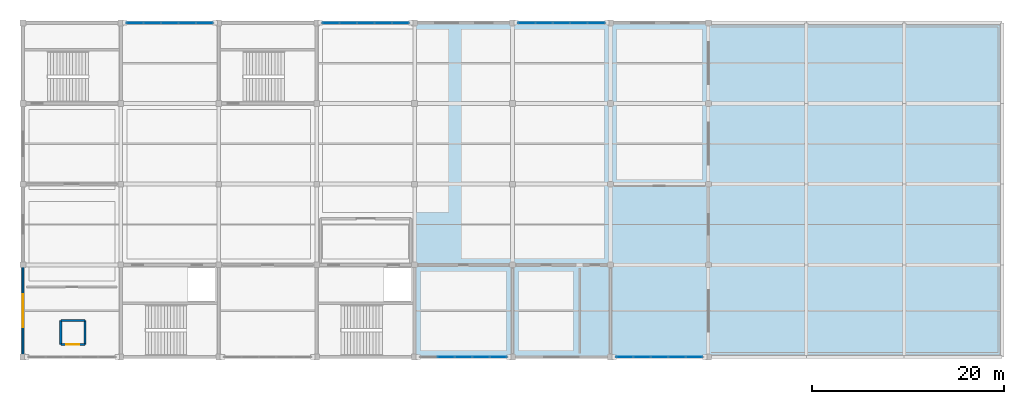
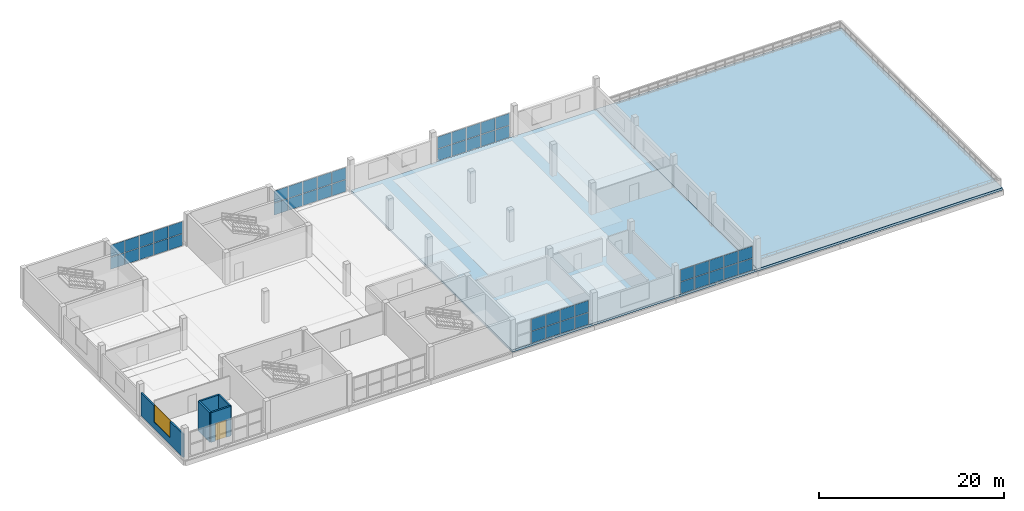
# One storey, part 18 of 24: 48 plates, 5 walls, 2 slabs, 1 door, 1 window, 2 openings, 5 elements without a shape of their own.
"""IFC4 building model written with IfcOpenShell, lengths in metres."""

from ifc_helpers import new_model, si_unit, direction, frame, frame_2d, origin, origin_2d, place, context, subcontext, project, spatial, polyline, rectangle, outline, extrude, material, layer, layer_set, type_object, element, fill, aggregate, save


model = new_model("IFC4")

# Units and contexts
model_context = context("Model", 3, precision=1e-05, world=origin(), true_north=direction((0.0, 1.0)))
body_context = subcontext(model_context, "Body", "Model", "MODEL_VIEW")
ifc_project = project(units=[si_unit("LENGTHUNIT", "METRE"), si_unit("AREAUNIT", "SQUARE_METRE"), si_unit("VOLUMEUNIT", "CUBIC_METRE"), si_unit("PLANEANGLEUNIT", "RADIAN"), si_unit("MASSUNIT", "GRAM", prefix="KILO")], contexts=[model_context])

# Site, building, storey
site_placement = place(None, origin())
site = spatial("IfcSite", under=ifc_project, at=site_placement, CompositionType="ELEMENT")
building_placement = place(site_placement, origin())
building = spatial("IfcBuilding", under=site, at=building_placement, Name="Brelvane Convention Centre", CompositionType="ELEMENT")
storey_placement = place(building_placement, frame((0.0, 0.0, 19.199951171875)))
storey = spatial("IfcBuildingStorey", under=building, at=storey_placement, Name="L04", CompositionType="ELEMENT", Elevation=19.199951171875)

# Curtain wall, plates
ifc_material_1 = material(Name="Anodised Aluminium Alloy 6063-T6", Category="aluminium")
curtain_wall_type_1 = type_object("IfcCurtainWallType", Name="Curtain Wall CW-COURT", PredefinedType="USERDEFINED", material=ifc_material_1)
curtain_wall_1_placement = place(storey_placement, origin())
curtain_wall_1 = element("IfcCurtainWall", 1, at=curtain_wall_1_placement, inside=storey, type_object=curtain_wall_type_1, Name="Curtain Wall CW-COURT L04-V4S-05", ObjectType="UNITISED", PredefinedType="USERDEFINED")
ifc_material_2 = material(Name="Double Glazed Low-E Laminated Unit")
ifc_layer_1 = layer(ifc_material_2, 0.031982421875)
ifc_layer_set_1 = layer_set([ifc_layer_1], Name="Double Glazed Low-E Laminated Unit")
plate_type_1 = type_object("IfcPlateType", Name="Curtain Panel CW-PG1", PredefinedType="CURTAIN_PANEL", material=ifc_layer_set_1)
plate_1_placement = place(storey_placement, frame((44.080078125, 109.199951171875, 0.070068359375), z_axis=(0.0, 0.0, 1.0), x_axis=(1.0, 0.0, 0.0)))
plate_1 = element("IfcPlate", 2, at=plate_1_placement, type_object=plate_type_1, Name="CW-COURT panel 2.1", PredefinedType="CURTAIN_PANEL", context=body_context, shape_type="SweptSolid", body=[
    extrude(rectangle(XDim=1.7451171875, YDim=0.031982421875, at=origin_2d()), origin(), (0.0, 0.0, 1.0), 1.544921875),
])
plate_2_placement = place(storey_placement, frame((44.080078125, 109.199951171875, 1.68505859375), z_axis=(0.0, 0.0, 1.0), x_axis=(1.0, 0.0, 0.0)))
plate_2 = element("IfcPlate", 3, at=plate_2_placement, type_object=plate_type_1, Name="CW-COURT panel 2.2", PredefinedType="CURTAIN_PANEL", context=body_context, shape_type="SweptSolid", body=[
    extrude(rectangle(XDim=1.7451171875, YDim=0.031982421875, at=origin_2d()), origin(), (0.0, 0.0, 1.0), 1.544921875),
])
plate_3_placement = place(storey_placement, frame((45.89990234375, 109.199951171875, 0.070068359375), z_axis=(0.0, 0.0, 1.0), x_axis=(1.0, 0.0, 0.0)))
plate_3 = element("IfcPlate", 4, at=plate_3_placement, type_object=plate_type_1, Name="CW-COURT panel 3.1", PredefinedType="CURTAIN_PANEL", context=body_context, shape_type="SweptSolid", body=[
    extrude(rectangle(XDim=1.7451171875, YDim=0.031982421875, at=origin_2d()), origin(), (0.0, 0.0, 1.0), 1.544921875),
])
plate_4_placement = place(storey_placement, frame((45.89990234375, 109.199951171875, 1.68505859375), z_axis=(0.0, 0.0, 1.0), x_axis=(1.0, 0.0, 0.0)))
plate_4 = element("IfcPlate", 5, at=plate_4_placement, type_object=plate_type_1, Name="CW-COURT panel 3.2", PredefinedType="CURTAIN_PANEL", context=body_context, shape_type="SweptSolid", body=[
    extrude(rectangle(XDim=1.7451171875, YDim=0.031982421875, at=origin_2d()), origin(), (0.0, 0.0, 1.0), 1.544921875),
])
plate_5_placement = place(storey_placement, frame((47.719970703125, 109.199951171875, 0.070068359375), z_axis=(0.0, 0.0, 1.0), x_axis=(1.0, 0.0, 0.0)))
plate_5 = element("IfcPlate", 6, at=plate_5_placement, type_object=plate_type_1, Name="CW-COURT panel 4.1", PredefinedType="CURTAIN_PANEL", context=body_context, shape_type="SweptSolid", body=[
    extrude(rectangle(XDim=1.7451171875, YDim=0.031982421875, at=origin_2d()), origin(), (0.0, 0.0, 1.0), 1.544921875),
])
plate_6_placement = place(storey_placement, frame((47.719970703125, 109.199951171875, 1.68505859375), z_axis=(0.0, 0.0, 1.0), x_axis=(1.0, 0.0, 0.0)))
plate_6 = element("IfcPlate", 7, at=plate_6_placement, type_object=plate_type_1, Name="CW-COURT panel 4.2", PredefinedType="CURTAIN_PANEL", context=body_context, shape_type="SweptSolid", body=[
    extrude(rectangle(XDim=1.7451171875, YDim=0.031982421875, at=origin_2d()), origin(), (0.0, 0.0, 1.0), 1.544921875),
])
plate_7_placement = place(storey_placement, frame((49.521240234375, 109.199951171875, 0.070068359375), z_axis=(0.0, 0.0, 1.0), x_axis=(1.0, 0.0, 0.0)))
plate_7 = element("IfcPlate", 8, at=plate_7_placement, type_object=plate_type_1, Name="CW-COURT panel 5.1", PredefinedType="CURTAIN_PANEL", context=body_context, shape_type="SweptSolid", body=[
    extrude(rectangle(XDim=1.70751953125, YDim=0.031982421875, at=origin_2d()), origin(), (0.0, 0.0, 1.0), 1.544921875),
])
plate_8_placement = place(storey_placement, frame((49.521240234375, 109.199951171875, 1.68505859375), z_axis=(0.0, 0.0, 1.0), x_axis=(1.0, 0.0, 0.0)))
plate_8 = element("IfcPlate", 9, at=plate_8_placement, type_object=plate_type_1, Name="CW-COURT panel 5.2", PredefinedType="CURTAIN_PANEL", context=body_context, shape_type="SweptSolid", body=[
    extrude(rectangle(XDim=1.70751953125, YDim=0.031982421875, at=origin_2d()), origin(), (0.0, 0.0, 1.0), 1.544921875),
])
aggregate(curtain_wall_1, [plate_1, plate_2, plate_3, plate_4, plate_5, plate_6, plate_7, plate_8])

curtain_wall_2_placement = place(storey_placement, origin())
curtain_wall_2 = element("IfcCurtainWall", 10, at=curtain_wall_2_placement, inside=storey, type_object=curtain_wall_type_1, Name="Curtain Wall CW-COURT L04-V4S-07", ObjectType="UNITISED", PredefinedType="USERDEFINED")
plate_9_placement = place(storey_placement, frame((62.6787109375, 109.199951171875, 0.070068359375), z_axis=(0.0, 0.0, 1.0), x_axis=(1.0, 0.0, 0.0)))
plate_9 = element("IfcPlate", 11, at=plate_9_placement, type_object=plate_type_1, Name="CW-COURT panel 1.1", PredefinedType="CURTAIN_PANEL", context=body_context, shape_type="SweptSolid", body=[
    extrude(rectangle(XDim=1.70751953125, YDim=0.031982421875, at=origin_2d()), origin(), (0.0, 0.0, 1.0), 1.544921875),
])
plate_10_placement = place(storey_placement, frame((62.6787109375, 109.199951171875, 1.68505859375), z_axis=(0.0, 0.0, 1.0), x_axis=(1.0, 0.0, 0.0)))
plate_10 = element("IfcPlate", 12, at=plate_10_placement, type_object=plate_type_1, Name="CW-COURT panel 1.2", PredefinedType="CURTAIN_PANEL", context=body_context, shape_type="SweptSolid", body=[
    extrude(rectangle(XDim=1.70751953125, YDim=0.031982421875, at=origin_2d()), origin(), (0.0, 0.0, 1.0), 1.544921875),
])
plate_11_placement = place(storey_placement, frame((64.47998046875, 109.199951171875, 0.070068359375), z_axis=(0.0, 0.0, 1.0), x_axis=(1.0, 0.0, 0.0)))
plate_11 = element("IfcPlate", 13, at=plate_11_placement, type_object=plate_type_1, Name="CW-COURT panel 2.1", PredefinedType="CURTAIN_PANEL", context=body_context, shape_type="SweptSolid", body=[
    extrude(rectangle(XDim=1.7451171875, YDim=0.031982421875, at=origin_2d()), origin(), (0.0, 0.0, 1.0), 1.544921875),
])
plate_12_placement = place(storey_placement, frame((64.47998046875, 109.199951171875, 1.68505859375), z_axis=(0.0, 0.0, 1.0), x_axis=(1.0, 0.0, 0.0)))
plate_12 = element("IfcPlate", 14, at=plate_12_placement, type_object=plate_type_1, Name="CW-COURT panel 2.2", PredefinedType="CURTAIN_PANEL", context=body_context, shape_type="SweptSolid", body=[
    extrude(rectangle(XDim=1.7451171875, YDim=0.031982421875, at=origin_2d()), origin(), (0.0, 0.0, 1.0), 1.544921875),
])
plate_13_placement = place(storey_placement, frame((66.300048828125, 109.199951171875, 0.070068359375), z_axis=(0.0, 0.0, 1.0), x_axis=(1.0, 0.0, 0.0)))
plate_13 = element("IfcPlate", 15, at=plate_13_placement, type_object=plate_type_1, Name="CW-COURT panel 3.1", PredefinedType="CURTAIN_PANEL", context=body_context, shape_type="SweptSolid", body=[
    extrude(rectangle(XDim=1.7451171875, YDim=0.031982421875, at=origin_2d()), origin(), (0.0, 0.0, 1.0), 1.544921875),
])
plate_14_placement = place(storey_placement, frame((66.300048828125, 109.199951171875, 1.68505859375), z_axis=(0.0, 0.0, 1.0), x_axis=(1.0, 0.0, 0.0)))
plate_14 = element("IfcPlate", 16, at=plate_14_placement, type_object=plate_type_1, Name="CW-COURT panel 3.2", PredefinedType="CURTAIN_PANEL", context=body_context, shape_type="SweptSolid", body=[
    extrude(rectangle(XDim=1.7451171875, YDim=0.031982421875, at=origin_2d()), origin(), (0.0, 0.0, 1.0), 1.544921875),
])
plate_15_placement = place(storey_placement, frame((68.1201171875, 109.199951171875, 0.070068359375), z_axis=(0.0, 0.0, 1.0), x_axis=(1.0, 0.0, 0.0)))
plate_15 = element("IfcPlate", 17, at=plate_15_placement, type_object=plate_type_1, Name="CW-COURT panel 4.1", PredefinedType="CURTAIN_PANEL", context=body_context, shape_type="SweptSolid", body=[
    extrude(rectangle(XDim=1.7451171875, YDim=0.031982421875, at=origin_2d()), origin(), (0.0, 0.0, 1.0), 1.544921875),
])
plate_16_placement = place(storey_placement, frame((68.1201171875, 109.199951171875, 1.68505859375), z_axis=(0.0, 0.0, 1.0), x_axis=(1.0, 0.0, 0.0)))
plate_16 = element("IfcPlate", 18, at=plate_16_placement, type_object=plate_type_1, Name="CW-COURT panel 4.2", PredefinedType="CURTAIN_PANEL", context=body_context, shape_type="SweptSolid", body=[
    extrude(rectangle(XDim=1.7451171875, YDim=0.031982421875, at=origin_2d()), origin(), (0.0, 0.0, 1.0), 1.544921875),
])
plate_17_placement = place(storey_placement, frame((69.921142578125, 109.199951171875, 0.070068359375), z_axis=(0.0, 0.0, 1.0), x_axis=(1.0, 0.0, 0.0)))
plate_17 = element("IfcPlate", 19, at=plate_17_placement, type_object=plate_type_1, Name="CW-COURT panel 5.1", PredefinedType="CURTAIN_PANEL", context=body_context, shape_type="SweptSolid", body=[
    extrude(rectangle(XDim=1.70751953125, YDim=0.031982421875, at=origin_2d()), origin(), (0.0, 0.0, 1.0), 1.544921875),
])
plate_18_placement = place(storey_placement, frame((69.921142578125, 109.199951171875, 1.68505859375), z_axis=(0.0, 0.0, 1.0), x_axis=(1.0, 0.0, 0.0)))
plate_18 = element("IfcPlate", 20, at=plate_18_placement, type_object=plate_type_1, Name="CW-COURT panel 5.2", PredefinedType="CURTAIN_PANEL", context=body_context, shape_type="SweptSolid", body=[
    extrude(rectangle(XDim=1.70751953125, YDim=0.031982421875, at=origin_2d()), origin(), (0.0, 0.0, 1.0), 1.544921875),
])
aggregate(curtain_wall_2, [plate_9, plate_10, plate_11, plate_12, plate_13, plate_14, plate_15, plate_16, plate_17, plate_18])

ifc_material_3 = material(Name="Anodised Aluminium Alloy 6063-T6", Category="aluminium")
curtain_wall_type_2 = type_object("IfcCurtainWallType", Name="Curtain Wall CW-BOUL", PredefinedType="USERDEFINED", material=ifc_material_3)
curtain_wall_3_placement = place(storey_placement, origin())
curtain_wall_3 = element("IfcCurtainWall", 21, at=curtain_wall_3_placement, inside=storey, type_object=curtain_wall_type_2, Name="Curtain Wall CW-BOUL L04-V4N-02", ObjectType="UNITISED", PredefinedType="USERDEFINED")
ifc_material_4 = material(Name="Double Glazed Low-E Laminated Unit")
ifc_layer_2 = layer(ifc_material_4, 0.0380859375)
ifc_layer_set_2 = layer_set([ifc_layer_2], Name="Double Glazed Low-E Laminated Unit")
plate_type_2 = type_object("IfcPlateType", Name="Curtain Panel CW-PG2", PredefinedType="CURTAIN_PANEL", material=ifc_layer_set_2)
plate_19_placement = place(storey_placement, frame((11.67626953125, 144.0, 0.06005859375), z_axis=(0.0, 0.0, 1.0), x_axis=(1.0, 0.0, 0.0)))
plate_19 = element("IfcPlate", 22, at=plate_19_placement, type_object=plate_type_2, Name="CW-BOUL panel 1.1", PredefinedType="CURTAIN_PANEL", context=body_context, shape_type="SweptSolid", body=[
    extrude(rectangle(XDim=1.722412109375, YDim=0.0380859375, at=origin_2d()), origin(), (0.0, 0.0, 1.0), 1.56005859375),
])
plate_20_placement = place(storey_placement, frame((11.67626953125, 144.0, 1.679931640625), z_axis=(0.0, 0.0, 1.0), x_axis=(1.0, 0.0, 0.0)))
plate_20 = element("IfcPlate", 23, at=plate_20_placement, type_object=plate_type_2, Name="CW-BOUL panel 1.2", PredefinedType="CURTAIN_PANEL", context=body_context, shape_type="SweptSolid", body=[
    extrude(rectangle(XDim=1.722412109375, YDim=0.0380859375, at=origin_2d()), origin(), (0.0, 0.0, 1.0), 1.56005859375),
])
plate_21_placement = place(storey_placement, frame((13.47998046875, 144.0, 0.06005859375), z_axis=(0.0, 0.0, 1.0), x_axis=(1.0, 0.0, 0.0)))
plate_21 = element("IfcPlate", 24, at=plate_21_placement, type_object=plate_type_2, Name="CW-BOUL panel 2.1", PredefinedType="CURTAIN_PANEL", context=body_context, shape_type="SweptSolid", body=[
    extrude(rectangle(XDim=1.7548828125, YDim=0.0380859375, at=origin_2d()), origin(), (0.0, 0.0, 1.0), 1.56005859375),
])
plate_22_placement = place(storey_placement, frame((13.47998046875, 144.0, 1.679931640625), z_axis=(0.0, 0.0, 1.0), x_axis=(1.0, 0.0, 0.0)))
plate_22 = element("IfcPlate", 25, at=plate_22_placement, type_object=plate_type_2, Name="CW-BOUL panel 2.2", PredefinedType="CURTAIN_PANEL", context=body_context, shape_type="SweptSolid", body=[
    extrude(rectangle(XDim=1.7548828125, YDim=0.0380859375, at=origin_2d()), origin(), (0.0, 0.0, 1.0), 1.56005859375),
])
plate_23_placement = place(storey_placement, frame((15.300048828125, 144.0, 0.06005859375), z_axis=(0.0, 0.0, 1.0), x_axis=(1.0, 0.0, 0.0)))
plate_23 = element("IfcPlate", 26, at=plate_23_placement, type_object=plate_type_2, Name="CW-BOUL panel 3.1", PredefinedType="CURTAIN_PANEL", context=body_context, shape_type="SweptSolid", body=[
    extrude(rectangle(XDim=1.7548828125, YDim=0.0380859375, at=origin_2d()), origin(), (0.0, 0.0, 1.0), 1.56005859375),
])
plate_24_placement = place(storey_placement, frame((15.300048828125, 144.0, 1.679931640625), z_axis=(0.0, 0.0, 1.0), x_axis=(1.0, 0.0, 0.0)))
plate_24 = element("IfcPlate", 27, at=plate_24_placement, type_object=plate_type_2, Name="CW-BOUL panel 3.2", PredefinedType="CURTAIN_PANEL", context=body_context, shape_type="SweptSolid", body=[
    extrude(rectangle(XDim=1.7548828125, YDim=0.0380859375, at=origin_2d()), origin(), (0.0, 0.0, 1.0), 1.56005859375),
])
plate_25_placement = place(storey_placement, frame((17.1201171875, 144.0, 0.06005859375), z_axis=(0.0, 0.0, 1.0), x_axis=(1.0, 0.0, 0.0)))
plate_25 = element("IfcPlate", 28, at=plate_25_placement, type_object=plate_type_2, Name="CW-BOUL panel 4.1", PredefinedType="CURTAIN_PANEL", context=body_context, shape_type="SweptSolid", body=[
    extrude(rectangle(XDim=1.7548828125, YDim=0.0380859375, at=origin_2d()), origin(), (0.0, 0.0, 1.0), 1.56005859375),
])
plate_26_placement = place(storey_placement, frame((17.1201171875, 144.0, 1.679931640625), z_axis=(0.0, 0.0, 1.0), x_axis=(1.0, 0.0, 0.0)))
plate_26 = element("IfcPlate", 29, at=plate_26_placement, type_object=plate_type_2, Name="CW-BOUL panel 4.2", PredefinedType="CURTAIN_PANEL", context=body_context, shape_type="SweptSolid", body=[
    extrude(rectangle(XDim=1.7548828125, YDim=0.0380859375, at=origin_2d()), origin(), (0.0, 0.0, 1.0), 1.56005859375),
])
plate_27_placement = place(storey_placement, frame((18.923828125, 144.0, 0.06005859375), z_axis=(0.0, 0.0, 1.0), x_axis=(1.0, 0.0, 0.0)))
plate_27 = element("IfcPlate", 30, at=plate_27_placement, type_object=plate_type_2, Name="CW-BOUL panel 5.1", PredefinedType="CURTAIN_PANEL", context=body_context, shape_type="SweptSolid", body=[
    extrude(rectangle(XDim=1.722412109375, YDim=0.0380859375, at=origin_2d()), origin(), (0.0, 0.0, 1.0), 1.56005859375),
])
plate_28_placement = place(storey_placement, frame((18.923828125, 144.0, 1.679931640625), z_axis=(0.0, 0.0, 1.0), x_axis=(1.0, 0.0, 0.0)))
plate_28 = element("IfcPlate", 31, at=plate_28_placement, type_object=plate_type_2, Name="CW-BOUL panel 5.2", PredefinedType="CURTAIN_PANEL", context=body_context, shape_type="SweptSolid", body=[
    extrude(rectangle(XDim=1.722412109375, YDim=0.0380859375, at=origin_2d()), origin(), (0.0, 0.0, 1.0), 1.56005859375),
])
aggregate(curtain_wall_3, [plate_19, plate_20, plate_21, plate_22, plate_23, plate_24, plate_25, plate_26, plate_27, plate_28])

curtain_wall_4_placement = place(storey_placement, origin())
curtain_wall_4 = element("IfcCurtainWall", 32, at=curtain_wall_4_placement, inside=storey, type_object=curtain_wall_type_2, Name="Curtain Wall CW-BOUL L04-V4N-04", ObjectType="UNITISED", PredefinedType="USERDEFINED")
plate_29_placement = place(storey_placement, frame((32.076171875, 144.0, 0.06005859375), z_axis=(0.0, 0.0, 1.0), x_axis=(1.0, 0.0, 0.0)))
plate_29 = element("IfcPlate", 33, at=plate_29_placement, type_object=plate_type_2, Name="CW-BOUL panel 1.1", PredefinedType="CURTAIN_PANEL", context=body_context, shape_type="SweptSolid", body=[
    extrude(rectangle(XDim=1.722412109375, YDim=0.0380859375, at=origin_2d()), origin(), (0.0, 0.0, 1.0), 1.56005859375),
])
plate_30_placement = place(storey_placement, frame((32.076171875, 144.0, 1.679931640625), z_axis=(0.0, 0.0, 1.0), x_axis=(1.0, 0.0, 0.0)))
plate_30 = element("IfcPlate", 34, at=plate_30_placement, type_object=plate_type_2, Name="CW-BOUL panel 1.2", PredefinedType="CURTAIN_PANEL", context=body_context, shape_type="SweptSolid", body=[
    extrude(rectangle(XDim=1.722412109375, YDim=0.0380859375, at=origin_2d()), origin(), (0.0, 0.0, 1.0), 1.56005859375),
])
plate_31_placement = place(storey_placement, frame((33.8798828125, 144.0, 0.06005859375), z_axis=(0.0, 0.0, 1.0), x_axis=(1.0, 0.0, 0.0)))
plate_31 = element("IfcPlate", 35, at=plate_31_placement, type_object=plate_type_2, Name="CW-BOUL panel 2.1", PredefinedType="CURTAIN_PANEL", context=body_context, shape_type="SweptSolid", body=[
    extrude(rectangle(XDim=1.7548828125, YDim=0.0380859375, at=origin_2d()), origin(), (0.0, 0.0, 1.0), 1.56005859375),
])
plate_32_placement = place(storey_placement, frame((33.8798828125, 144.0, 1.679931640625), z_axis=(0.0, 0.0, 1.0), x_axis=(1.0, 0.0, 0.0)))
plate_32 = element("IfcPlate", 36, at=plate_32_placement, type_object=plate_type_2, Name="CW-BOUL panel 2.2", PredefinedType="CURTAIN_PANEL", context=body_context, shape_type="SweptSolid", body=[
    extrude(rectangle(XDim=1.7548828125, YDim=0.0380859375, at=origin_2d()), origin(), (0.0, 0.0, 1.0), 1.56005859375),
])
plate_33_placement = place(storey_placement, frame((35.699951171875, 144.0, 0.06005859375), z_axis=(0.0, 0.0, 1.0), x_axis=(1.0, 0.0, 0.0)))
plate_33 = element("IfcPlate", 37, at=plate_33_placement, type_object=plate_type_2, Name="CW-BOUL panel 3.1", PredefinedType="CURTAIN_PANEL", context=body_context, shape_type="SweptSolid", body=[
    extrude(rectangle(XDim=1.7548828125, YDim=0.0380859375, at=origin_2d()), origin(), (0.0, 0.0, 1.0), 1.56005859375),
])
plate_34_placement = place(storey_placement, frame((35.699951171875, 144.0, 1.679931640625), z_axis=(0.0, 0.0, 1.0), x_axis=(1.0, 0.0, 0.0)))
plate_34 = element("IfcPlate", 38, at=plate_34_placement, type_object=plate_type_2, Name="CW-BOUL panel 3.2", PredefinedType="CURTAIN_PANEL", context=body_context, shape_type="SweptSolid", body=[
    extrude(rectangle(XDim=1.7548828125, YDim=0.0380859375, at=origin_2d()), origin(), (0.0, 0.0, 1.0), 1.56005859375),
])
plate_35_placement = place(storey_placement, frame((37.52001953125, 144.0, 0.06005859375), z_axis=(0.0, 0.0, 1.0), x_axis=(1.0, 0.0, 0.0)))
plate_35 = element("IfcPlate", 39, at=plate_35_placement, type_object=plate_type_2, Name="CW-BOUL panel 4.1", PredefinedType="CURTAIN_PANEL", context=body_context, shape_type="SweptSolid", body=[
    extrude(rectangle(XDim=1.7548828125, YDim=0.0380859375, at=origin_2d()), origin(), (0.0, 0.0, 1.0), 1.56005859375),
])
plate_36_placement = place(storey_placement, frame((37.52001953125, 144.0, 1.679931640625), z_axis=(0.0, 0.0, 1.0), x_axis=(1.0, 0.0, 0.0)))
plate_36 = element("IfcPlate", 40, at=plate_36_placement, type_object=plate_type_2, Name="CW-BOUL panel 4.2", PredefinedType="CURTAIN_PANEL", context=body_context, shape_type="SweptSolid", body=[
    extrude(rectangle(XDim=1.7548828125, YDim=0.0380859375, at=origin_2d()), origin(), (0.0, 0.0, 1.0), 1.56005859375),
])
plate_37_placement = place(storey_placement, frame((39.32373046875, 144.0, 0.06005859375), z_axis=(0.0, 0.0, 1.0), x_axis=(1.0, 0.0, 0.0)))
plate_37 = element("IfcPlate", 41, at=plate_37_placement, type_object=plate_type_2, Name="CW-BOUL panel 5.1", PredefinedType="CURTAIN_PANEL", context=body_context, shape_type="SweptSolid", body=[
    extrude(rectangle(XDim=1.722412109375, YDim=0.0380859375, at=origin_2d()), origin(), (0.0, 0.0, 1.0), 1.56005859375),
])
plate_38_placement = place(storey_placement, frame((39.32373046875, 144.0, 1.679931640625), z_axis=(0.0, 0.0, 1.0), x_axis=(1.0, 0.0, 0.0)))
plate_38 = element("IfcPlate", 42, at=plate_38_placement, type_object=plate_type_2, Name="CW-BOUL panel 5.2", PredefinedType="CURTAIN_PANEL", context=body_context, shape_type="SweptSolid", body=[
    extrude(rectangle(XDim=1.722412109375, YDim=0.0380859375, at=origin_2d()), origin(), (0.0, 0.0, 1.0), 1.56005859375),
])
aggregate(curtain_wall_4, [plate_29, plate_30, plate_31, plate_32, plate_33, plate_34, plate_35, plate_36, plate_37, plate_38])

curtain_wall_5_placement = place(storey_placement, origin())
curtain_wall_5 = element("IfcCurtainWall", 43, at=curtain_wall_5_placement, inside=storey, type_object=curtain_wall_type_2, Name="Curtain Wall CW-BOUL L04-V4N-06", ObjectType="UNITISED", PredefinedType="USERDEFINED")
plate_39_placement = place(storey_placement, frame((52.476318359375, 144.0, 0.06005859375), z_axis=(0.0, 0.0, 1.0), x_axis=(1.0, 0.0, 0.0)))
plate_39 = element("IfcPlate", 44, at=plate_39_placement, type_object=plate_type_2, Name="CW-BOUL panel 1.1", PredefinedType="CURTAIN_PANEL", context=body_context, shape_type="SweptSolid", body=[
    extrude(rectangle(XDim=1.722412109375, YDim=0.0380859375, at=origin_2d()), origin(), (0.0, 0.0, 1.0), 1.56005859375),
])
plate_40_placement = place(storey_placement, frame((52.476318359375, 144.0, 1.679931640625), z_axis=(0.0, 0.0, 1.0), x_axis=(1.0, 0.0, 0.0)))
plate_40 = element("IfcPlate", 45, at=plate_40_placement, type_object=plate_type_2, Name="CW-BOUL panel 1.2", PredefinedType="CURTAIN_PANEL", context=body_context, shape_type="SweptSolid", body=[
    extrude(rectangle(XDim=1.722412109375, YDim=0.0380859375, at=origin_2d()), origin(), (0.0, 0.0, 1.0), 1.56005859375),
])
plate_41_placement = place(storey_placement, frame((54.280029296875, 144.0, 0.06005859375), z_axis=(0.0, 0.0, 1.0), x_axis=(1.0, 0.0, 0.0)))
plate_41 = element("IfcPlate", 46, at=plate_41_placement, type_object=plate_type_2, Name="CW-BOUL panel 2.1", PredefinedType="CURTAIN_PANEL", context=body_context, shape_type="SweptSolid", body=[
    extrude(rectangle(XDim=1.7548828125, YDim=0.0380859375, at=origin_2d()), origin(), (0.0, 0.0, 1.0), 1.56005859375),
])
plate_42_placement = place(storey_placement, frame((54.280029296875, 144.0, 1.679931640625), z_axis=(0.0, 0.0, 1.0), x_axis=(1.0, 0.0, 0.0)))
plate_42 = element("IfcPlate", 47, at=plate_42_placement, type_object=plate_type_2, Name="CW-BOUL panel 2.2", PredefinedType="CURTAIN_PANEL", context=body_context, shape_type="SweptSolid", body=[
    extrude(rectangle(XDim=1.7548828125, YDim=0.0380859375, at=origin_2d()), origin(), (0.0, 0.0, 1.0), 1.56005859375),
])
plate_43_placement = place(storey_placement, frame((56.10009765625, 144.0, 0.06005859375), z_axis=(0.0, 0.0, 1.0), x_axis=(1.0, 0.0, 0.0)))
plate_43 = element("IfcPlate", 48, at=plate_43_placement, type_object=plate_type_2, Name="CW-BOUL panel 3.1", PredefinedType="CURTAIN_PANEL", context=body_context, shape_type="SweptSolid", body=[
    extrude(rectangle(XDim=1.7548828125, YDim=0.0380859375, at=origin_2d()), origin(), (0.0, 0.0, 1.0), 1.56005859375),
])
plate_44_placement = place(storey_placement, frame((56.10009765625, 144.0, 1.679931640625), z_axis=(0.0, 0.0, 1.0), x_axis=(1.0, 0.0, 0.0)))
plate_44 = element("IfcPlate", 49, at=plate_44_placement, type_object=plate_type_2, Name="CW-BOUL panel 3.2", PredefinedType="CURTAIN_PANEL", context=body_context, shape_type="SweptSolid", body=[
    extrude(rectangle(XDim=1.7548828125, YDim=0.0380859375, at=origin_2d()), origin(), (0.0, 0.0, 1.0), 1.56005859375),
])
plate_45_placement = place(storey_placement, frame((57.919921875, 144.0, 0.06005859375), z_axis=(0.0, 0.0, 1.0), x_axis=(1.0, 0.0, 0.0)))
plate_45 = element("IfcPlate", 50, at=plate_45_placement, type_object=plate_type_2, Name="CW-BOUL panel 4.1", PredefinedType="CURTAIN_PANEL", context=body_context, shape_type="SweptSolid", body=[
    extrude(rectangle(XDim=1.7548828125, YDim=0.0380859375, at=origin_2d()), origin(), (0.0, 0.0, 1.0), 1.56005859375),
])
plate_46_placement = place(storey_placement, frame((57.919921875, 144.0, 1.679931640625), z_axis=(0.0, 0.0, 1.0), x_axis=(1.0, 0.0, 0.0)))
plate_46 = element("IfcPlate", 51, at=plate_46_placement, type_object=plate_type_2, Name="CW-BOUL panel 4.2", PredefinedType="CURTAIN_PANEL", context=body_context, shape_type="SweptSolid", body=[
    extrude(rectangle(XDim=1.7548828125, YDim=0.0380859375, at=origin_2d()), origin(), (0.0, 0.0, 1.0), 1.56005859375),
])
plate_47_placement = place(storey_placement, frame((59.7236328125, 144.0, 0.06005859375), z_axis=(0.0, 0.0, 1.0), x_axis=(1.0, 0.0, 0.0)))
plate_47 = element("IfcPlate", 52, at=plate_47_placement, type_object=plate_type_2, Name="CW-BOUL panel 5.1", PredefinedType="CURTAIN_PANEL", context=body_context, shape_type="SweptSolid", body=[
    extrude(rectangle(XDim=1.722412109375, YDim=0.0380859375, at=origin_2d()), origin(), (0.0, 0.0, 1.0), 1.56005859375),
])
plate_48_placement = place(storey_placement, frame((59.7236328125, 144.0, 1.679931640625), z_axis=(0.0, 0.0, 1.0), x_axis=(1.0, 0.0, 0.0)))
plate_48 = element("IfcPlate", 53, at=plate_48_placement, type_object=plate_type_2, Name="CW-BOUL panel 5.2", PredefinedType="CURTAIN_PANEL", context=body_context, shape_type="SweptSolid", body=[
    extrude(rectangle(XDim=1.722412109375, YDim=0.0380859375, at=origin_2d()), origin(), (0.0, 0.0, 1.0), 1.56005859375),
])
aggregate(curtain_wall_5, [plate_39, plate_40, plate_41, plate_42, plate_43, plate_44, plate_45, plate_46, plate_47, plate_48])

# Slabs
ifc_material_5 = material(Name="Concrete M40", Category="concrete")
ifc_layer_3 = layer(ifc_material_5, 0.2900390625)
ifc_layer_set_3 = layer_set([ifc_layer_3], Name="Concrete M40")
slab_type_1 = type_object("IfcSlabType", Name="Structural Slab SL-FLR-250", PredefinedType="FLOOR", material=ifc_layer_set_3)
slab_1_placement = place(storey_placement, frame((0.0, 0.0, -0.2900390625)))
element("IfcSlab", 54, at=slab_1_placement, inside=storey, type_object=slab_type_1, Name="L04 Floor Slab MEET-C", PredefinedType="FLOOR", context=body_context, shape_type="SweptSolid", body=[
    extrude(outline(polyline([(40.800048828125, 109.199951171875), (71.39990234375, 109.199951171875), (71.39990234375, 144.0), (40.800048828125, 144.0), (40.800048828125, 109.199951171875)])), origin(), (0.0, 0.0, 1.0), 0.2900390625),
])
ifc_material_6 = material(Name="Concrete M40", Category="concrete")
ifc_layer_4 = layer(ifc_material_6, 0.31005859375)
ifc_layer_set_4 = layer_set([ifc_layer_4], Name="Concrete M40")
slab_type_2 = type_object("IfcSlabType", Name="Structural Slab SL-ROOF-GDN-310", PredefinedType="ROOF", material=ifc_layer_set_4)
slab_2_placement = place(storey_placement, frame((0.0, 0.0, -0.31005859375)))
element("IfcSlab", 55, at=slab_2_placement, inside=storey, type_object=slab_type_2, Name="Upper Monsoon Court Roof Garden Slab", PredefinedType="ROOF", context=body_context, shape_type="SweptSolid", body=[
    extrude(outline(polyline([(71.39990234375, 109.199951171875), (102.0, 109.199951171875), (102.0, 144.0), (71.39990234375, 144.0), (71.39990234375, 109.199951171875)])), origin(), (0.0, 0.0, 1.0), 0.31005859375),
])

# Wall, opening, window
ifc_material_7 = material(Name="Insulated Autoclaved Aerated Concrete Block Grade 1", Category="concrete")
ifc_layer_5 = layer(ifc_material_7, 0.18994140625)
ifc_layer_set_5 = layer_set([ifc_layer_5], Name="Insulated Autoclaved Aerated Concrete Block Grade 1")
wall_type_1 = type_object("IfcWallType", Name="Exterior Wall EW-06", PredefinedType="STANDARD", material=ifc_layer_set_5)
wall_1_placement = place(storey_placement, frame((0.0, 109.43994140625, 0.0), z_axis=(0.0, 0.0, 1.0), x_axis=(0.0, 1.0, 0.0)))
wall_1 = element("IfcWall", 56, at=wall_1_placement, inside=storey, type_object=wall_type_1, Name="Exterior Wall L04 V4W-L04-109", PredefinedType="STANDARD", context=body_context, shape_type="SweptSolid", body=[
    extrude(rectangle(XDim=9.1201171875, YDim=0.18994140625, at=frame_2d((4.56005859375, 0.0))), origin(), (0.0, 0.0, 1.0), 3.06005859375),
])
opening_1_placement = place(wall_1_placement, frame((2.8349609375, 0.0, 0.89990234375)))
opening_1 = element("IfcOpeningElement", 57, at=opening_1_placement, cuts=wall_1, Name="Opening WN-13", PredefinedType="OPENING", context=body_context, shape_type="SweptSolid", body=[
    extrude(rectangle(XDim=3.449951171875, YDim=2.25, at=frame_2d((1.72509765625, 1.125))), frame((0.0, 0.10498046875, 0.0), z_axis=(0.0, -1.0, 0.0), x_axis=(1.0, 0.0, 0.0)), (0.0, 0.0, 1.0), 0.2099609375),
])
ifc_material_8 = material(Name="Double Glazed Low-E Laminated Unit")
window_type = type_object("IfcWindowType", Name="Window WN-13", PartitioningType="TRIPLE_PANEL_VERTICAL", PredefinedType="WINDOW", material=ifc_material_8)
window_placement = place(opening_1_placement, origin())
window = element("IfcWindow", 58, at=window_placement, inside=storey, type_object=window_type, Name="Facade Window L04-V4W-L04-109-079", OverallHeight=2.25, OverallWidth=3.449951171875, PartitioningType="TRIPLE_PANEL_VERTICAL", PredefinedType="WINDOW", context=body_context, shape_type="SweptSolid", body=[
    extrude(rectangle(XDim=3.449951171875, YDim=2.25, at=frame_2d((1.72509765625, 1.125))), frame((0.0, 0.030029296875, 0.0), z_axis=(0.0, -1.0, 0.0), x_axis=(1.0, 0.0, 0.0)), (0.0, 0.0, 1.0), 0.06005859375),
])
fill(opening_1, window)

# Wall, opening, door
ifc_material_9 = material(Name="Concrete M40", Category="concrete")
ifc_layer_6 = layer(ifc_material_9, 0.219970703125)
ifc_layer_set_6 = layer_set([ifc_layer_6], Name="Concrete M40")
wall_type_2 = type_object("IfcWallType", Name="Interior Wall IW-FR-220", PredefinedType="PARTITIONING", material=ifc_layer_set_6)
wall_2_placement = place(storey_placement, frame((3.949951171875, 110.5, 0.0), z_axis=(0.0, 0.0, 1.0), x_axis=(1.0, 0.0, 0.0)))
wall_2 = element("IfcWall", 59, at=wall_2_placement, inside=storey, type_object=wall_type_2, Name="Lift LP-06 Shaft Wall S (L04)", PredefinedType="PARTITIONING", context=body_context, shape_type="SweptSolid", body=[
    extrude(rectangle(XDim=2.5, YDim=0.219970703125, at=frame_2d((1.25, 0.0))), origin(), (0.0, 0.0, 1.0), 3.91015625),
])
opening_2_placement = place(wall_2_placement, frame((0.574951171875, 0.0, 0.0)))
opening_2 = element("IfcOpeningElement", 60, at=opening_2_placement, cuts=wall_2, Name="Opening LD-03", PredefinedType="OPENING", context=body_context, shape_type="SweptSolid", body=[
    extrude(rectangle(XDim=1.35009765625, YDim=2.300048828125, at=frame_2d((0.675048828125, 1.14990234375))), frame((0.0, 0.119873046875, 0.0), z_axis=(0.0, -1.0, 0.0), x_axis=(1.0, 0.0, 0.0)), (0.0, 0.0, 1.0), 0.239990234375),
])
ifc_material_10 = material(Name="Galvanised Hollow-Metal Fire Door Steel E250", Category="steel")
door_type = type_object("IfcDoorType", Name="Interior Door LD-03", OperationType="NOTDEFINED", PredefinedType="DOOR", material=ifc_material_10)
door_placement = place(opening_2_placement, origin())
door = element("IfcDoor", 61, at=door_placement, inside=storey, type_object=door_type, Name="Lift LP-06 Landing Door (L04)", OperationType="DOUBLE_DOOR_SLIDING", OverallHeight=2.300048828125, OverallWidth=1.35009765625, PredefinedType="DOOR", context=body_context, shape_type="SweptSolid", body=[
    extrude(rectangle(XDim=1.35009765625, YDim=2.300048828125, at=frame_2d((0.675048828125, 1.14990234375))), frame((0.0, 0.02490234375, 0.0), z_axis=(0.0, -1.0, 0.0), x_axis=(1.0, 0.0, 0.0)), (0.0, 0.0, 1.0), 0.050048828125),
])
fill(opening_2, door)

# Walls
for number, where, z_axis, x_axis, name in (
    (62, (3.949951171875, 113.0, 0.0), (0.0, 0.0, 1.0), (1.0, 0.0, 0.0), "Lift LP-06 Shaft Wall N (L04)"),
    (63, (3.949951171875, 110.5, 0.0), (0.0, 0.0, 1.0), (0.0, 1.0, 0.0), "Lift LP-06 Shaft Wall W (L04)"),
    (64, (6.449951171875, 110.5, 0.0), (0.0, 0.0, 1.0), (0.0, 1.0, 0.0), "Lift LP-06 Shaft Wall E (L04)"),
):
    element("IfcWall", number, at=place(storey_placement, frame(where, z_axis=z_axis, x_axis=x_axis)), inside=storey, type_object=wall_type_2, Name=name, PredefinedType="PARTITIONING", context=body_context, shape_type="SweptSolid", body=[
        extrude(rectangle(XDim=2.5, YDim=0.219970703125, at=frame_2d((1.25, 0.0))), origin(), (0.0, 0.0, 1.0), 3.91015625),
    ])

save(model, "model.ifc")
